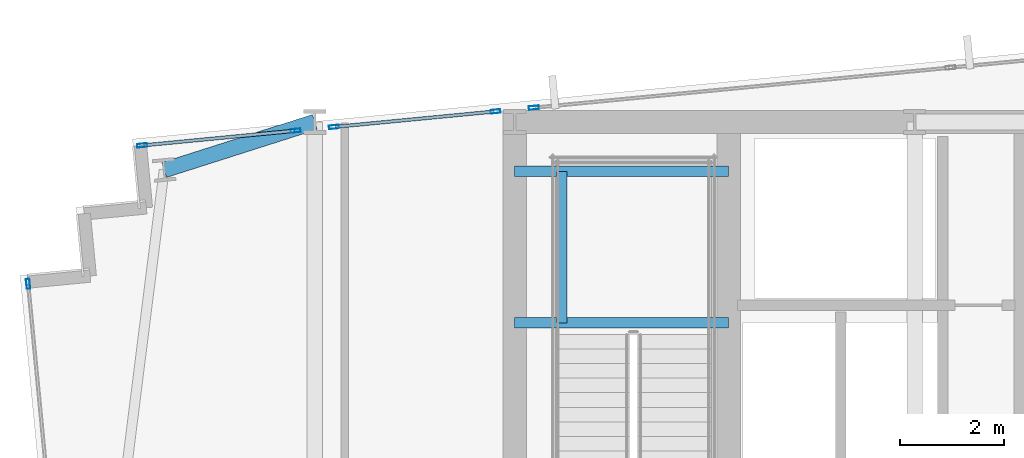
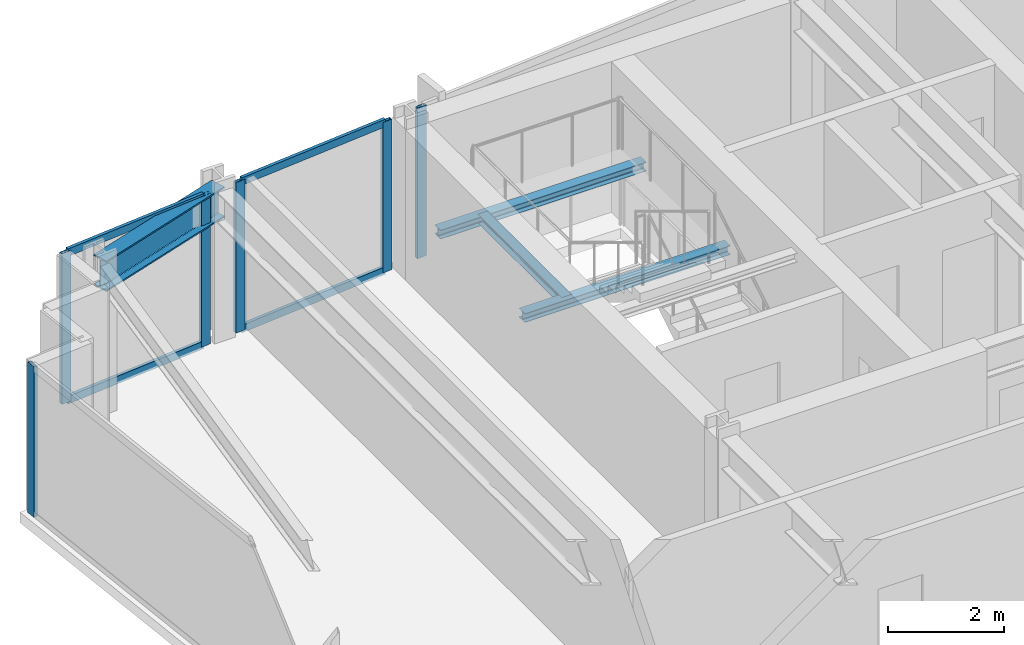
# One storey, part 17 of 32: 10 members, 4 beams, 4 elements without a shape of their own.
"""IFC4 building model written with IfcOpenShell, lengths in metres."""

from ifc_helpers import new_model, si_unit, direction, frame, origin, origin_2d, place, context, subcontext, project, spatial, hollow_rectangle, i_section, extrude, material, material_profile, profile_set, type_object, element, aggregate, save


model = new_model("IFC4")

# Units and contexts
model_context = context("Model", 3, precision=1e-05, world=origin(), true_north=direction((0.0, 1.0)))
body_context = subcontext(model_context, "Body", "Model", "MODEL_VIEW")
ifc_project = project(units=[si_unit("LENGTHUNIT", "METRE"), si_unit("AREAUNIT", "SQUARE_METRE"), si_unit("VOLUMEUNIT", "CUBIC_METRE"), si_unit("PLANEANGLEUNIT", "RADIAN"), si_unit("MASSUNIT", "GRAM", prefix="KILO")], contexts=[model_context])

# Site, building, storey
site_placement = place(None, origin())
site = spatial("IfcSite", under=ifc_project, at=site_placement, CompositionType="ELEMENT")
building_placement = place(site_placement, origin())
building = spatial("IfcBuilding", under=site, at=building_placement, Name="Yelkora Congress Tower", CompositionType="ELEMENT")
storey_placement = place(building_placement, frame((0.0, 0.0, 116.89990234375)))
storey = spatial("IfcBuildingStorey", under=building, at=storey_placement, Name="L31", CompositionType="ELEMENT", Elevation=116.89990234375)

# Beams
ifc_material_1 = material(Name="Steel S355J2", Category="steel")
ifc_material_profile_1 = material_profile(ifc_material_1, i_section(OverallWidth=0.300048828125, OverallDepth=0.64990234375, WebThickness=0.01611328125, FlangeThickness=0.031005859375, FilletRadius=0.027099609375, at=origin_2d()), Name="HEB 650")
ifc_profile_set_1 = profile_set([ifc_material_profile_1], Name="Steel S355J2")
beam_type_1 = type_object("IfcBeamType", Name="BM-GIRD-HEB650", PredefinedType="BEAM", material=ifc_profile_set_1)
beam_1_placement = place(storey_placement, frame((16.306884765625, 45.27734375, 2.85498046875), z_axis=(0.952727067409, 0.303827475759, 0.0), x_axis=(-0.303827475759, 0.952727067409, 0.0)))
element("IfcBeam", 1, at=beam_1_placement, inside=storey, type_object=beam_type_1, Name="L31 Primary Frame Girder N01", PredefinedType="BEAM", context=body_context, shape_type="SweptSolid", body=[
    extrude(i_section(OverallWidth=0.300048828125, OverallDepth=0.64990234375, WebThickness=0.01611328125, FlangeThickness=0.031005859375, FilletRadius=0.027099609375, at=origin_2d()), origin(), (0.0, 0.0, 1.0), 3.03662109375),
])
ifc_material_profile_2 = material_profile(ifc_material_1, i_section(OverallWidth=0.199951171875, OverallDepth=0.18994140625, WebThickness=0.006591796875, FlangeThickness=0.010009765625, FilletRadius=0.01806640625, at=origin_2d()), Name="HEA 200")
ifc_profile_set_2 = profile_set([ifc_material_profile_2], Name="Steel S355J2")
beam_type_2 = type_object("IfcBeamType", Name="BM-LAND-HEA200", PredefinedType="BEAM", material=ifc_profile_set_2)
for number, where, z_axis, x_axis, name in (
    (2, (23.0400390625, 42.340087890625, 1.384765625), (1.0, 0.0, 0.0), (0.0, 1.0, 0.0), "ST-01 L31 Landing Header Beam 1S"),
    (3, (23.0400390625, 45.25, 1.384765625), (1.0, 0.0, 0.0), (0.0, 1.0, 0.0), "ST-01 L31 Landing Header Beam 1N"),
):
    element("IfcBeam", number, at=place(storey_placement, frame(where, z_axis=z_axis, x_axis=x_axis)), inside=storey, type_object=beam_type_2, Name=name, PredefinedType="BEAM", context=body_context, shape_type="SweptSolid", body=[
        extrude(i_section(OverallWidth=0.199951171875, OverallDepth=0.18994140625, WebThickness=0.006591796875, FlangeThickness=0.010009765625, FilletRadius=0.01806640625, at=origin_2d()), origin(), (0.0, 0.0, 1.0), 4.10986328125),
    ])
beam_2_placement = place(storey_placement, frame((23.93994140625, 42.340087890625, 1.384765625), z_axis=(0.0, 1.0, 0.0), x_axis=(-1.0, 0.0, 0.0)))
element("IfcBeam", 4, at=beam_2_placement, inside=storey, type_object=beam_type_2, Name="ST-01 L31 Landing Trimmer Beam 1M", PredefinedType="BEAM", context=body_context, shape_type="SweptSolid", body=[
    extrude(i_section(OverallWidth=0.199951171875, OverallDepth=0.18994140625, WebThickness=0.006591796875, FlangeThickness=0.010009765625, FilletRadius=0.01806640625, at=origin_2d()), origin(), (0.0, 0.0, 1.0), 2.909912109375),
])

# Curtain wall, member
ifc_material_2 = material(Name="Anodised aluminium and insulated glass", Category="aluminium")
curtain_wall_type = type_object("IfcCurtainWallType", Name="CW-SYS-B2", PredefinedType="NOTDEFINED", material=ifc_material_2)
curtain_wall_1_placement = place(storey_placement, origin())
curtain_wall_1 = element("IfcCurtainWall", 5, at=curtain_wall_1_placement, inside=storey, type_object=curtain_wall_type, Name="L31 Unitised Curtain Wall 5", PredefinedType="NOTDEFINED")
ifc_material_3 = material(Name="Anodised aluminium 6063-T6", Category="aluminium")
ifc_material_profile_3 = material_profile(ifc_material_3, hollow_rectangle(XDim=0.070068359375, YDim=0.18994140625, WallThickness=0.00390625, at=origin_2d()), Name="ALU 70x190x4")
ifc_profile_set_3 = profile_set([ifc_material_profile_3], Name="Anodised aluminium 6063-T6")
member_type_1 = type_object("IfcMemberType", Name="MEM-ML-B2", PredefinedType="MULLION", material=ifc_profile_set_3)
member_1_placement = place(storey_placement, frame((13.6943359375, 43.091796875, 0.0), z_axis=(0.0, 0.0, 1.0), x_axis=(-0.995396507508, -0.095842541913, 0.0)))
member_1 = element("IfcMember", 6, at=member_1_placement, type_object=member_type_1, Name="CW-B2 mullion 5", PredefinedType="MULLION", context=body_context, shape_type="SweptSolid", body=[
    extrude(hollow_rectangle(XDim=0.070068359375, YDim=0.18994140625, WallThickness=0.00390625, at=origin_2d()), origin(), (0.0, 0.0, 1.0), 3.18017578125),
])
aggregate(curtain_wall_1, [member_1])

# Curtain wall, members
curtain_wall_2_placement = place(storey_placement, origin())
curtain_wall_2 = element("IfcCurtainWall", 7, at=curtain_wall_2_placement, inside=storey, type_object=curtain_wall_type, Name="L31 Unitised Curtain Wall 10 (1)", PredefinedType="NOTDEFINED")
member_2_placement = place(storey_placement, frame((15.884521484375, 45.7490234375, 0.0), z_axis=(0.0, 0.0, 1.0), x_axis=(-0.095839346142, 0.99539681521, 0.0)))
member_2 = element("IfcMember", 8, at=member_2_placement, type_object=member_type_1, Name="CW-B2 mullion 1", PredefinedType="MULLION", context=body_context, shape_type="SweptSolid", body=[
    extrude(hollow_rectangle(XDim=0.070068359375, YDim=0.18994140625, WallThickness=0.00390625, at=origin_2d()), origin(), (0.0, 0.0, 1.0), 3.18017578125),
])
member_3_placement = place(storey_placement, frame((18.833251953125, 46.032958984375, 0.0), z_axis=(0.0, 0.0, 1.0), x_axis=(-0.095839346142, 0.99539681521, 0.0)))
member_3 = element("IfcMember", 9, at=member_3_placement, type_object=member_type_1, Name="CW-B2 mullion 2", PredefinedType="MULLION", context=body_context, shape_type="SweptSolid", body=[
    extrude(hollow_rectangle(XDim=0.070068359375, YDim=0.18994140625, WallThickness=0.00390625, at=origin_2d()), origin(), (0.0, 0.0, 1.0), 3.18017578125),
])

curtain_wall_3_placement = place(storey_placement, origin())
curtain_wall_3 = element("IfcCurtainWall", 10, at=curtain_wall_3_placement, inside=storey, type_object=curtain_wall_type, Name="L31 Unitised Curtain Wall 10 (2)", PredefinedType="NOTDEFINED")
member_4_placement = place(storey_placement, frame((19.56689453125, 46.103515625, 0.0), z_axis=(0.0, 0.0, 1.0), x_axis=(-0.095841399764, 0.99539661748, 0.0)))
member_4 = element("IfcMember", 11, at=member_4_placement, type_object=member_type_1, Name="CW-B2 mullion 1", PredefinedType="MULLION", context=body_context, shape_type="SweptSolid", body=[
    extrude(hollow_rectangle(XDim=0.070068359375, YDim=0.18994140625, WallThickness=0.00390625, at=origin_2d()), origin(), (0.0, 0.0, 1.0), 3.18017578125),
])
member_5_placement = place(storey_placement, frame((22.673095703125, 46.402587890625, 0.0), z_axis=(0.0, 0.0, 1.0), x_axis=(-0.095841399764, 0.99539661748, 0.0)))
member_5 = element("IfcMember", 12, at=member_5_placement, type_object=member_type_1, Name="CW-B2 mullion 2", PredefinedType="MULLION", context=body_context, shape_type="SweptSolid", body=[
    extrude(hollow_rectangle(XDim=0.070068359375, YDim=0.18994140625, WallThickness=0.00390625, at=origin_2d()), origin(), (0.0, 0.0, 1.0), 3.18017578125),
])

# Curtain wall, member
curtain_wall_4_placement = place(storey_placement, origin())
curtain_wall_4 = element("IfcCurtainWall", 13, at=curtain_wall_4_placement, inside=storey, type_object=curtain_wall_type, Name="L31 Unitised Curtain Wall 10 (3)", PredefinedType="NOTDEFINED")
member_6_placement = place(storey_placement, frame((23.40673828125, 46.473388671875, 0.0), z_axis=(0.0, 0.0, 1.0), x_axis=(-0.095844238468, 0.995396344153, 0.0)))
member_6 = element("IfcMember", 14, at=member_6_placement, type_object=member_type_1, Name="CW-B2 mullion 1", PredefinedType="MULLION", context=body_context, shape_type="SweptSolid", body=[
    extrude(hollow_rectangle(XDim=0.070068359375, YDim=0.18994140625, WallThickness=0.00390625, at=origin_2d()), origin(), (0.0, 0.0, 1.0), 3.18017578125),
])
aggregate(curtain_wall_4, [member_6])

# Member
ifc_material_profile_4 = material_profile(ifc_material_3, hollow_rectangle(XDim=0.06494140625, YDim=0.159912109375, WallThickness=0.00390625, at=origin_2d()), Name="ALU 65x160x4")
ifc_profile_set_4 = profile_set([ifc_material_profile_4], Name="Anodised aluminium 6063-T6")
member_type_2 = type_object("IfcMemberType", Name="MEM-TR-B2", PredefinedType="USERDEFINED", material=ifc_profile_set_4)
member_7_placement = place(storey_placement, frame((15.91943359375, 45.75244140625, 0.03271484375), z_axis=(0.995399744854, 0.095808913705, 0.0), x_axis=(-0.095808913705, 0.995399744854, 0.0)))
member_7 = element("IfcMember", 15, at=member_7_placement, type_object=member_type_2, Name="CW-B2 transom 1.1", ObjectType="TRANSOM", PredefinedType="USERDEFINED", context=body_context, shape_type="SweptSolid", body=[
    extrude(hollow_rectangle(XDim=0.06494140625, YDim=0.159912109375, WallThickness=0.00390625, at=origin_2d()), origin(), (0.0, 0.0, 1.0), 2.89208984375),
])

member_8_placement = place(storey_placement, frame((15.91943359375, 45.75244140625, 3.147705078125), z_axis=(0.995399744854, 0.095808913705, 0.0), x_axis=(-0.095808913705, 0.995399744854, 0.0)))
member_8 = element("IfcMember", 16, at=member_8_placement, type_object=member_type_2, Name="CW-B2 transom 1.2", ObjectType="TRANSOM", PredefinedType="USERDEFINED", context=body_context, shape_type="SweptSolid", body=[
    extrude(hollow_rectangle(XDim=0.06494140625, YDim=0.159912109375, WallThickness=0.00390625, at=origin_2d()), origin(), (0.0, 0.0, 1.0), 2.89208984375),
])

aggregate(curtain_wall_2, [member_2, member_3, member_7, member_8])

member_9_placement = place(storey_placement, frame((19.6015625, 46.10693359375, 0.03271484375), z_axis=(0.995401842144, 0.095787121557, 0.0), x_axis=(-0.095787121557, 0.995401842144, 0.0)))
member_9 = element("IfcMember", 17, at=member_9_placement, type_object=member_type_2, Name="CW-B2 transom 1.1", ObjectType="TRANSOM", PredefinedType="USERDEFINED", context=body_context, shape_type="SweptSolid", body=[
    extrude(hollow_rectangle(XDim=0.06494140625, YDim=0.159912109375, WallThickness=0.00390625, at=origin_2d()), origin(), (0.0, 0.0, 1.0), 3.05078125),
])

member_10_placement = place(storey_placement, frame((19.6015625, 46.10693359375, 3.147705078125), z_axis=(0.995401842144, 0.095787121557, 0.0), x_axis=(-0.095787121557, 0.995401842144, 0.0)))
member_10 = element("IfcMember", 18, at=member_10_placement, type_object=member_type_2, Name="CW-B2 transom 1.2", ObjectType="TRANSOM", PredefinedType="USERDEFINED", context=body_context, shape_type="SweptSolid", body=[
    extrude(hollow_rectangle(XDim=0.06494140625, YDim=0.159912109375, WallThickness=0.00390625, at=origin_2d()), origin(), (0.0, 0.0, 1.0), 3.05078125),
])

aggregate(curtain_wall_3, [member_4, member_5, member_9, member_10])

save(model, "model.ifc")
